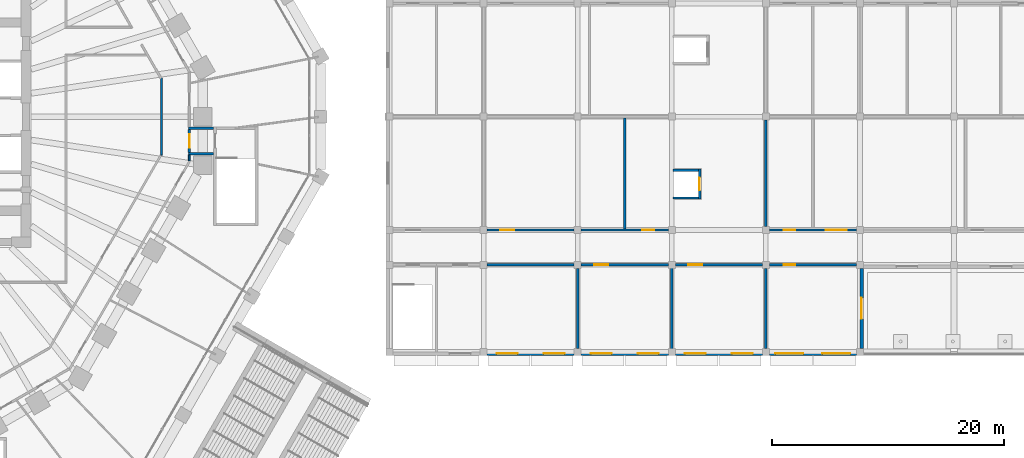
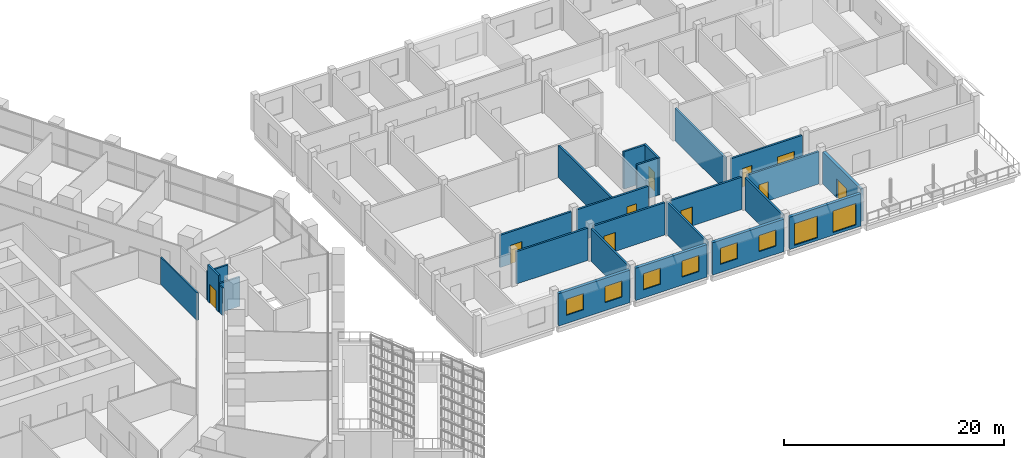
# One storey, part 25 of 38: 25 walls, 10 doors, 8 windows, 18 openings.
"""IFC4 building model written with IfcOpenShell, lengths in metres."""

from ifc_helpers import new_model, si_unit, direction, frame, frame_2d, origin, place, context, subcontext, project, spatial, rectangle, extrude, material, layer, layer_set, type_object, element, fill, save


model = new_model("IFC4")

# Units and contexts
model_context = context("Model", 3, precision=1e-05, world=origin(), true_north=direction((0.0, 1.0)))
body_context = subcontext(model_context, "Body", "Model", "MODEL_VIEW")
ifc_project = project(units=[si_unit("LENGTHUNIT", "METRE"), si_unit("AREAUNIT", "SQUARE_METRE"), si_unit("VOLUMEUNIT", "CUBIC_METRE"), si_unit("PLANEANGLEUNIT", "RADIAN"), si_unit("MASSUNIT", "GRAM", prefix="KILO")], contexts=[model_context])

# Site, building, storey
site_placement = place(None, origin())
site = spatial("IfcSite", under=ifc_project, at=site_placement, CompositionType="ELEMENT")
building_placement = place(site_placement, origin())
building = spatial("IfcBuilding", under=site, at=building_placement, Name="Frailejon Research Tower", CompositionType="ELEMENT")
storey_placement = place(building_placement, frame((0.0, 0.0, 10.199951171875)))
storey = spatial("IfcBuildingStorey", under=building, at=storey_placement, Name="L02", CompositionType="ELEMENT", Elevation=10.199951171875)

# Walls
ifc_material_1 = material(Name="Gypsum board and masonry partition", Category="masonry")
ifc_layer_1 = layer(ifc_material_1, 0.14990234375)
ifc_layer_set_1 = layer_set([ifc_layer_1], Name="Corridor wall EI 60, gypsum on steel studs 150")
wall_type_1 = type_object("IfcWallType", Name="Corridor wall EI 60, gypsum on steel studs 150", PredefinedType="PARTITIONING", material=ifc_layer_set_1)
wall_1_placement = place(storey_placement, frame((27.2626953125, -3.804443359375, 0.0), z_axis=(0.0, 0.0, 1.0), x_axis=(0.0, 1.0, 0.0)))
element("IfcWall", 1, at=wall_1_placement, inside=storey, type_object=wall_type_1, Name="T:IW:L02:005", PredefinedType="PARTITIONING", context=body_context, shape_type="SweptSolid", body=[
    extrude(rectangle(XDim=0.5107421875, YDim=0.14990234375, at=frame_2d((0.25537109375, 0.0))), origin(), (0.0, 0.0, 1.0), 3.050048828125),
])
wall_2_placement = place(storey_placement, frame((24.86279296875, -3.311279296875, 0.0), z_axis=(0.0, 0.0, 1.0), x_axis=(0.0, 1.0, 0.0)))
element("IfcWall", 2, at=wall_2_placement, inside=storey, type_object=wall_type_1, Name="T:IW:L02:038", PredefinedType="PARTITIONING", context=body_context, shape_type="SweptSolid", body=[
    extrude(rectangle(XDim=6.62255859375, YDim=0.14990234375, at=frame_2d((3.311279296875, 0.0))), origin(), (0.0, 0.0, 1.0), 3.050048828125),
])

# Wall, opening, door
ifc_material_2 = material(Name="Gypsum board and masonry partition", Category="masonry")
ifc_layer_2 = layer(ifc_material_2, 0.199951171875)
ifc_layer_set_2 = layer_set([ifc_layer_2], Name="Enclosure wall EI 120, blockwork 200")
wall_type_2 = type_object("IfcWallType", Name="Enclosure wall EI 120, blockwork 200", PredefinedType="PARTITIONING", material=ifc_layer_set_2)
wall_3_placement = place(storey_placement, frame((27.2626953125, -3.09375, 0.0), z_axis=(0.0, 0.0, 1.0), x_axis=(0.0, 1.0, 0.0)))
wall_3 = element("IfcWall", 3, at=wall_3_placement, inside=storey, type_object=wall_type_2, Name="T:IW:L02:061", PredefinedType="PARTITIONING", context=body_context, shape_type="SweptSolid", body=[
    extrude(rectangle(XDim=2.0, YDim=0.199951171875, at=frame_2d((1.0, 0.0))), origin(), (0.0, 0.0, 1.0), 4.050048828125),
])
opening_1_placement = place(wall_3_placement, frame((1.599853515625, 0.0, 0.0), z_axis=(0.0, 0.0, 1.0), x_axis=(-1.0, 0.0, 0.0)))
opening_1 = element("IfcOpeningElement", 4, at=opening_1_placement, cuts=wall_3, Name="Opening PSD34", PredefinedType="OPENING", context=body_context, shape_type="SweptSolid", body=[
    extrude(rectangle(XDim=1.199951171875, YDim=2.10009765625, at=frame_2d((0.60009765625, 1.050048828125))), frame((0.0, 0.10986328125, 0.0), z_axis=(0.0, -1.0, 0.0), x_axis=(1.0, 0.0, 0.0)), (0.0, 0.0, 1.0), 0.219970703125),
])
ifc_material_3 = material(Name="Steel door leaf", Category="steel")
door_type_1 = type_object("IfcDoorType", Name="Door exit passage, steel, fire rated 1200", OperationType="NOTDEFINED", PredefinedType="DOOR", material=ifc_material_3)
door_1_placement = place(opening_1_placement, origin())
door_1 = element("IfcDoor", 5, at=door_1_placement, inside=storey, type_object=door_type_1, Name="PSD34", OperationType="SINGLE_SWING_LEFT", OverallHeight=2.10009765625, OverallWidth=1.199951171875, PredefinedType="DOOR", context=body_context, shape_type="SweptSolid", body=[
    extrude(rectangle(XDim=1.199951171875, YDim=2.10009765625, at=frame_2d((0.60009765625, 1.050048828125))), frame((0.0, 0.02490234375, 0.0), z_axis=(0.0, -1.0, 0.0), x_axis=(1.0, 0.0, 0.0)), (0.0, 0.0, 1.0), 0.050048828125),
])
fill(opening_1, door_1)

# Walls
for number, where, z_axis, x_axis, name in (
    (6, (27.187744140625, -0.993896484375, 0.0), (0.0, 0.0, 1.0), (1.0, 0.0, 0.0), "T:IW:L02:062"),
    (7, (27.187744140625, -3.19384765625, 0.0), (0.0, 0.0, 1.0), (1.0, 0.0, 0.0), "T:IW:L02:067"),
):
    element("IfcWall", number, at=place(storey_placement, frame(where, z_axis=z_axis, x_axis=x_axis)), inside=storey, type_object=wall_type_2, Name=name, PredefinedType="PARTITIONING", context=body_context, shape_type="SweptSolid", body=[
        extrude(rectangle(XDim=2.150146484375, YDim=0.199951171875, at=frame_2d((1.0751953125, 0.0))), origin(), (0.0, 0.0, 1.0), 3.25),
    ])

# Wall, openings, windows
ifc_material_4 = material(Name="Insulated masonry cavity wall", Category="masonry")
ifc_layer_3 = layer(ifc_material_4, 0.300048828125)
ifc_layer_set_3 = layer_set([ifc_layer_3], Name="HC facade wall 300")
wall_type_3 = type_object("IfcWallType", Name="HC facade wall 300", PredefinedType="SOLIDWALL", material=ifc_layer_set_3)
wall_4_placement = place(storey_placement, frame((52.89990234375, -20.39990234375, 0.0), z_axis=(0.0, 0.0, 1.0), x_axis=(1.0, 0.0, 0.0)))
wall_4 = element("IfcWall", 8, at=wall_4_placement, inside=storey, type_object=wall_type_3, Name="HC facade wall", PredefinedType="SOLIDWALL", context=body_context, shape_type="SweptSolid", body=[
    extrude(rectangle(XDim=7.5, YDim=0.300048828125, at=frame_2d((3.75, 0.0))), origin(), (0.0, 0.0, 1.0), 3.60009765625),
])
opening_2_placement = place(wall_4_placement, frame((0.824951171875, 0.0, 0.89990234375)))
opening_2 = element("IfcOpeningElement", 9, at=opening_2_placement, cuts=wall_4, Name="Opening HW202", PredefinedType="OPENING", context=body_context, shape_type="SweptSolid", body=[
    extrude(rectangle(XDim=1.800048828125, YDim=1.800048828125, at=frame_2d((0.89990234375, 0.89990234375))), frame((0.0, 0.159912109375, 0.0), z_axis=(0.0, -1.0, 0.0), x_axis=(1.0, 0.0, 0.0)), (0.0, 0.0, 1.0), 0.320068359375),
])
opening_3_placement = place(wall_4_placement, frame((4.875, 0.0, 0.89990234375)))
opening_3 = element("IfcOpeningElement", 10, at=opening_3_placement, cuts=wall_4, Name="Opening HW203", PredefinedType="OPENING", context=body_context, shape_type="SweptSolid", body=[
    extrude(rectangle(XDim=1.800048828125, YDim=1.800048828125, at=frame_2d((0.89990234375, 0.89990234375))), frame((0.0, 0.159912109375, 0.0), z_axis=(0.0, -1.0, 0.0), x_axis=(1.0, 0.0, 0.0)), (0.0, 0.0, 1.0), 0.320068359375),
])
ifc_material_5 = material(Name="Aluminium framed double glazing", Category="aluminium")
window_type_1 = type_object("IfcWindowType", Name="HC window 1800x1800", PartitioningType="SINGLE_PANEL", PredefinedType="WINDOW", material=ifc_material_5)
window_1_placement = place(opening_2_placement, origin())
window_1 = element("IfcWindow", 11, at=window_1_placement, inside=storey, type_object=window_type_1, Name="Window HW202 (HCW1)", OverallHeight=1.800048828125, OverallWidth=1.800048828125, PartitioningType="SINGLE_PANEL", PredefinedType="WINDOW", context=body_context, shape_type="SweptSolid", body=[
    extrude(rectangle(XDim=1.800048828125, YDim=1.800048828125, at=frame_2d((0.89990234375, 0.89990234375))), frame((0.0, 0.030029296875, 0.0), z_axis=(0.0, -1.0, 0.0), x_axis=(1.0, 0.0, 0.0)), (0.0, 0.0, 1.0), 0.06005859375),
])
fill(opening_2, window_1)
window_2_placement = place(opening_3_placement, origin())
window_2 = element("IfcWindow", 12, at=window_2_placement, inside=storey, type_object=window_type_1, Name="Window HW203 (HCW1)", OverallHeight=1.800048828125, OverallWidth=1.800048828125, PartitioningType="SINGLE_PANEL", PredefinedType="WINDOW", context=body_context, shape_type="SweptSolid", body=[
    extrude(rectangle(XDim=1.800048828125, YDim=1.800048828125, at=frame_2d((0.89990234375, 0.89990234375))), frame((0.0, 0.030029296875, 0.0), z_axis=(0.0, -1.0, 0.0), x_axis=(1.0, 0.0, 0.0)), (0.0, 0.0, 1.0), 0.06005859375),
])
fill(opening_3, window_2)

wall_5_placement = place(storey_placement, frame((61.0, -20.39990234375, 0.0), z_axis=(0.0, 0.0, 1.0), x_axis=(1.0, 0.0, 0.0)))
wall_5 = element("IfcWall", 13, at=wall_5_placement, inside=storey, type_object=wall_type_3, Name="HC facade wall", PredefinedType="SOLIDWALL", context=body_context, shape_type="SweptSolid", body=[
    extrude(rectangle(XDim=7.5, YDim=0.300048828125, at=frame_2d((3.75, 0.0))), origin(), (0.0, 0.0, 1.0), 3.60009765625),
])
opening_4_placement = place(wall_5_placement, frame((0.824951171875, 0.0, 0.89990234375)))
opening_4 = element("IfcOpeningElement", 14, at=opening_4_placement, cuts=wall_5, Name="Opening HW204", PredefinedType="OPENING", context=body_context, shape_type="SweptSolid", body=[
    extrude(rectangle(XDim=1.800048828125, YDim=1.800048828125, at=frame_2d((0.89990234375, 0.89990234375))), frame((0.0, 0.159912109375, 0.0), z_axis=(0.0, -1.0, 0.0), x_axis=(1.0, 0.0, 0.0)), (0.0, 0.0, 1.0), 0.320068359375),
])
opening_5_placement = place(wall_5_placement, frame((4.875, 0.0, 0.89990234375)))
opening_5 = element("IfcOpeningElement", 15, at=opening_5_placement, cuts=wall_5, Name="Opening HW205", PredefinedType="OPENING", context=body_context, shape_type="SweptSolid", body=[
    extrude(rectangle(XDim=1.800048828125, YDim=1.800048828125, at=frame_2d((0.89990234375, 0.89990234375))), frame((0.0, 0.159912109375, 0.0), z_axis=(0.0, -1.0, 0.0), x_axis=(1.0, 0.0, 0.0)), (0.0, 0.0, 1.0), 0.320068359375),
])
window_3_placement = place(opening_4_placement, origin())
window_3 = element("IfcWindow", 16, at=window_3_placement, inside=storey, type_object=window_type_1, Name="Window HW204 (HCW1)", OverallHeight=1.800048828125, OverallWidth=1.800048828125, PartitioningType="SINGLE_PANEL", PredefinedType="WINDOW", context=body_context, shape_type="SweptSolid", body=[
    extrude(rectangle(XDim=1.800048828125, YDim=1.800048828125, at=frame_2d((0.89990234375, 0.89990234375))), frame((0.0, 0.030029296875, 0.0), z_axis=(0.0, -1.0, 0.0), x_axis=(1.0, 0.0, 0.0)), (0.0, 0.0, 1.0), 0.06005859375),
])
fill(opening_4, window_3)
window_4_placement = place(opening_5_placement, origin())
window_4 = element("IfcWindow", 17, at=window_4_placement, inside=storey, type_object=window_type_1, Name="Window HW205 (HCW1)", OverallHeight=1.800048828125, OverallWidth=1.800048828125, PartitioningType="SINGLE_PANEL", PredefinedType="WINDOW", context=body_context, shape_type="SweptSolid", body=[
    extrude(rectangle(XDim=1.800048828125, YDim=1.800048828125, at=frame_2d((0.89990234375, 0.89990234375))), frame((0.0, 0.030029296875, 0.0), z_axis=(0.0, -1.0, 0.0), x_axis=(1.0, 0.0, 0.0)), (0.0, 0.0, 1.0), 0.06005859375),
])
fill(opening_5, window_4)

wall_6_placement = place(storey_placement, frame((69.10009765625, -20.39990234375, 0.0), z_axis=(0.0, 0.0, 1.0), x_axis=(1.0, 0.0, 0.0)))
wall_6 = element("IfcWall", 18, at=wall_6_placement, inside=storey, type_object=wall_type_3, Name="HC facade wall", PredefinedType="SOLIDWALL", context=body_context, shape_type="SweptSolid", body=[
    extrude(rectangle(XDim=7.5, YDim=0.300048828125, at=frame_2d((3.75, 0.0))), origin(), (0.0, 0.0, 1.0), 3.60009765625),
])
opening_6_placement = place(wall_6_placement, frame((0.824951171875, 0.0, 0.89990234375)))
opening_6 = element("IfcOpeningElement", 19, at=opening_6_placement, cuts=wall_6, Name="Opening HW206", PredefinedType="OPENING", context=body_context, shape_type="SweptSolid", body=[
    extrude(rectangle(XDim=1.800048828125, YDim=1.800048828125, at=frame_2d((0.89990234375, 0.89990234375))), frame((0.0, 0.159912109375, 0.0), z_axis=(0.0, -1.0, 0.0), x_axis=(1.0, 0.0, 0.0)), (0.0, 0.0, 1.0), 0.320068359375),
])
opening_7_placement = place(wall_6_placement, frame((4.875, 0.0, 0.89990234375)))
opening_7 = element("IfcOpeningElement", 20, at=opening_7_placement, cuts=wall_6, Name="Opening HW207", PredefinedType="OPENING", context=body_context, shape_type="SweptSolid", body=[
    extrude(rectangle(XDim=1.800048828125, YDim=1.800048828125, at=frame_2d((0.89990234375, 0.89990234375))), frame((0.0, 0.159912109375, 0.0), z_axis=(0.0, -1.0, 0.0), x_axis=(1.0, 0.0, 0.0)), (0.0, 0.0, 1.0), 0.320068359375),
])
window_5_placement = place(opening_6_placement, origin())
window_5 = element("IfcWindow", 21, at=window_5_placement, inside=storey, type_object=window_type_1, Name="Window HW206 (HCW1)", OverallHeight=1.800048828125, OverallWidth=1.800048828125, PartitioningType="SINGLE_PANEL", PredefinedType="WINDOW", context=body_context, shape_type="SweptSolid", body=[
    extrude(rectangle(XDim=1.800048828125, YDim=1.800048828125, at=frame_2d((0.89990234375, 0.89990234375))), frame((0.0, 0.030029296875, 0.0), z_axis=(0.0, -1.0, 0.0), x_axis=(1.0, 0.0, 0.0)), (0.0, 0.0, 1.0), 0.06005859375),
])
fill(opening_6, window_5)
window_6_placement = place(opening_7_placement, origin())
window_6 = element("IfcWindow", 22, at=window_6_placement, inside=storey, type_object=window_type_1, Name="Window HW207 (HCW1)", OverallHeight=1.800048828125, OverallWidth=1.800048828125, PartitioningType="SINGLE_PANEL", PredefinedType="WINDOW", context=body_context, shape_type="SweptSolid", body=[
    extrude(rectangle(XDim=1.800048828125, YDim=1.800048828125, at=frame_2d((0.89990234375, 0.89990234375))), frame((0.0, 0.030029296875, 0.0), z_axis=(0.0, -1.0, 0.0), x_axis=(1.0, 0.0, 0.0)), (0.0, 0.0, 1.0), 0.06005859375),
])
fill(opening_7, window_6)

wall_7_placement = place(storey_placement, frame((77.199951171875, -20.39990234375, 0.0), z_axis=(0.0, 0.0, 1.0), x_axis=(1.0, 0.0, 0.0)))
wall_7 = element("IfcWall", 23, at=wall_7_placement, inside=storey, type_object=wall_type_3, Name="HC facade wall", PredefinedType="SOLIDWALL", context=body_context, shape_type="SweptSolid", body=[
    extrude(rectangle(XDim=7.5, YDim=0.300048828125, at=frame_2d((3.75, 0.0))), origin(), (0.0, 0.0, 1.0), 3.60009765625),
])
opening_8_placement = place(wall_7_placement, frame((0.52490234375, 0.0, 0.300048828125)))
opening_8 = element("IfcOpeningElement", 24, at=opening_8_placement, cuts=wall_7, Name="Opening HW208", PredefinedType="OPENING", context=body_context, shape_type="SweptSolid", body=[
    extrude(rectangle(XDim=2.39990234375, YDim=2.39990234375, at=frame_2d((1.199951171875, 1.199951171875))), frame((0.0, 0.159912109375, 0.0), z_axis=(0.0, -1.0, 0.0), x_axis=(1.0, 0.0, 0.0)), (0.0, 0.0, 1.0), 0.320068359375),
])
opening_9_placement = place(wall_7_placement, frame((4.574951171875, 0.0, 0.300048828125)))
opening_9 = element("IfcOpeningElement", 25, at=opening_9_placement, cuts=wall_7, Name="Opening HW209", PredefinedType="OPENING", context=body_context, shape_type="SweptSolid", body=[
    extrude(rectangle(XDim=2.39990234375, YDim=2.39990234375, at=frame_2d((1.199951171875, 1.199951171875))), frame((0.0, 0.159912109375, 0.0), z_axis=(0.0, -1.0, 0.0), x_axis=(1.0, 0.0, 0.0)), (0.0, 0.0, 1.0), 0.320068359375),
])
ifc_material_6 = material(Name="Aluminium framed double glazing", Category="aluminium")
window_type_2 = type_object("IfcWindowType", Name="HC window 2400x2400", PartitioningType="DOUBLE_PANEL_VERTICAL", PredefinedType="WINDOW", material=ifc_material_6)
window_7_placement = place(opening_8_placement, origin())
window_7 = element("IfcWindow", 26, at=window_7_placement, inside=storey, type_object=window_type_2, Name="Window HW208 (HCW3)", OverallHeight=2.39990234375, OverallWidth=2.39990234375, PartitioningType="DOUBLE_PANEL_VERTICAL", PredefinedType="WINDOW", context=body_context, shape_type="SweptSolid", body=[
    extrude(rectangle(XDim=2.39990234375, YDim=2.39990234375, at=frame_2d((1.199951171875, 1.199951171875))), frame((0.0, 0.030029296875, 0.0), z_axis=(0.0, -1.0, 0.0), x_axis=(1.0, 0.0, 0.0)), (0.0, 0.0, 1.0), 0.06005859375),
])
fill(opening_8, window_7)
window_8_placement = place(opening_9_placement, origin())
window_8 = element("IfcWindow", 27, at=window_8_placement, inside=storey, type_object=window_type_2, Name="Window HW209 (HCW3)", OverallHeight=2.39990234375, OverallWidth=2.39990234375, PartitioningType="DOUBLE_PANEL_VERTICAL", PredefinedType="WINDOW", context=body_context, shape_type="SweptSolid", body=[
    extrude(rectangle(XDim=2.39990234375, YDim=2.39990234375, at=frame_2d((1.199951171875, 1.199951171875))), frame((0.0, 0.030029296875, 0.0), z_axis=(0.0, -1.0, 0.0), x_axis=(1.0, 0.0, 0.0)), (0.0, 0.0, 1.0), 0.06005859375),
])
fill(opening_9, window_8)

# Wall, opening, door
wall_8_placement = place(storey_placement, frame((85.14990234375, -13.050048828125, 0.0), z_axis=(0.0, 0.0, 1.0), x_axis=(0.0, -1.0, 0.0)))
wall_8 = element("IfcWall", 28, at=wall_8_placement, inside=storey, type_object=wall_type_3, Name="HC facade wall", PredefinedType="SOLIDWALL", context=body_context, shape_type="SweptSolid", body=[
    extrude(rectangle(XDim=6.89990234375, YDim=0.300048828125, at=frame_2d((3.449951171875, 0.0))), origin(), (0.0, 0.0, 1.0), 3.60009765625),
])
opening_10_placement = place(wall_8_placement, frame((2.550048828125, 0.0, 0.0)))
opening_10 = element("IfcOpeningElement", 29, at=opening_10_placement, cuts=wall_8, Name="Opening HD208", PredefinedType="OPENING", context=body_context, shape_type="SweptSolid", body=[
    extrude(rectangle(XDim=1.800048828125, YDim=2.10009765625, at=frame_2d((0.89990234375, 1.050048828125))), frame((0.0, 0.159912109375, 0.0), z_axis=(0.0, -1.0, 0.0), x_axis=(1.0, 0.0, 0.0)), (0.0, 0.0, 1.0), 0.320068359375),
])
ifc_material_7 = material(Name="Aluminium framed glazed door leaf", Category="aluminium")
door_type_2 = type_object("IfcDoorType", Name="HC terrace double door 1800", OperationType="DOUBLE_DOOR_SINGLE_SWING", PredefinedType="DOOR", material=ifc_material_7)
door_2_placement = place(opening_10_placement, origin())
door_2 = element("IfcDoor", 30, at=door_2_placement, inside=storey, type_object=door_type_2, Name="Door HD208", OperationType="DOUBLE_DOOR_SINGLE_SWING", OverallHeight=2.10009765625, OverallWidth=1.800048828125, PredefinedType="DOOR", context=body_context, shape_type="SweptSolid", body=[
    extrude(rectangle(XDim=1.800048828125, YDim=2.10009765625, at=frame_2d((0.89990234375, 1.050048828125))), frame((0.0, 0.02490234375, 0.0), z_axis=(0.0, -1.0, 0.0), x_axis=(1.0, 0.0, 0.0)), (0.0, 0.0, 1.0), 0.050048828125),
])
fill(opening_10, door_2)

# Walls
ifc_material_8 = material(Name="Concrete C35/45", Category="concrete")
ifc_layer_4 = layer(ifc_material_8, 0.199951171875)
ifc_layer_set_4 = layer_set([ifc_layer_4], Name="HC fire wall 200")
wall_type_4 = type_object("IfcWallType", Name="HC fire wall 200", PredefinedType="SOLIDWALL", material=ifc_layer_set_4)
for number, where, z_axis, x_axis, name in (
    (31, (68.89990234375, -7.0, 0.0), (0.0, 0.0, 1.0), (1.0, 0.0, 0.0), "HC lift shaft wall"),
    (32, (68.89990234375, -4.60009765625, 0.0), (0.0, 0.0, 1.0), (1.0, 0.0, 0.0), "HC lift shaft wall"),
):
    element("IfcWall", number, at=place(storey_placement, frame(where, z_axis=z_axis, x_axis=x_axis)), inside=storey, type_object=wall_type_4, Name=name, PredefinedType="SOLIDWALL", context=body_context, shape_type="SweptSolid", body=[
        extrude(rectangle(XDim=2.2001953125, YDim=0.199951171875, at=frame_2d((1.10009765625, 0.0))), origin(), (0.0, 0.0, 1.0), 4.150146484375),
    ])

# Wall, opening, door
wall_9_placement = place(storey_placement, frame((71.199951171875, -7.10009765625, 0.0), z_axis=(0.0, 0.0, 1.0), x_axis=(0.0, 1.0, 0.0)))
wall_9 = element("IfcWall", 33, at=wall_9_placement, inside=storey, type_object=wall_type_4, Name="HC lift shaft wall", PredefinedType="SOLIDWALL", context=body_context, shape_type="SweptSolid", body=[
    extrude(rectangle(XDim=2.60009765625, YDim=0.199951171875, at=frame_2d((1.300048828125, 0.0))), origin(), (0.0, 0.0, 1.0), 4.150146484375),
])
opening_11_placement = place(wall_9_placement, frame((0.75, 0.0, 0.0)))
opening_11 = element("IfcOpeningElement", 34, at=opening_11_placement, cuts=wall_9, Name="Opening HLD2P", PredefinedType="OPENING", context=body_context, shape_type="SweptSolid", body=[
    extrude(rectangle(XDim=1.10009765625, YDim=2.10009765625, at=frame_2d((0.550048828125, 1.050048828125))), frame((0.0, 0.10986328125, 0.0), z_axis=(0.0, -1.0, 0.0), x_axis=(1.0, 0.0, 0.0)), (0.0, 0.0, 1.0), 0.219970703125),
])
ifc_material_9 = material(Name="Stainless steel sliding leaf", Category="steel")
door_type_3 = type_object("IfcDoorType", Name="HC lift landing door 1100", OperationType="SLIDING_TO_LEFT", PredefinedType="DOOR", material=ifc_material_9)
door_3_placement = place(opening_11_placement, origin())
door_3 = element("IfcDoor", 35, at=door_3_placement, inside=storey, type_object=door_type_3, Name="Lift landing door HLD2P", OperationType="SLIDING_TO_LEFT", OverallHeight=2.10009765625, OverallWidth=1.10009765625, PredefinedType="DOOR", context=body_context, shape_type="SweptSolid", body=[
    extrude(rectangle(XDim=1.10009765625, YDim=2.10009765625, at=frame_2d((0.550048828125, 1.050048828125))), frame((0.0, 0.02490234375, 0.0), z_axis=(0.0, -1.0, 0.0), x_axis=(1.0, 0.0, 0.0)), (0.0, 0.0, 1.0), 0.050048828125),
])
fill(opening_11, door_3)

# Wall
ifc_material_10 = material(Name="Masonry blockwork partition", Category="masonry")
ifc_layer_5 = layer(ifc_material_10, 0.199951171875)
ifc_layer_set_5 = layer_set([ifc_layer_5], Name="HC partition 200")
wall_type_5 = type_object("IfcWallType", Name="HC partition 200", PredefinedType="PARTITIONING", material=ifc_layer_set_5)
wall_10_placement = place(storey_placement, frame((52.89990234375, -12.75, 0.0), z_axis=(0.0, 0.0, 1.0), x_axis=(1.0, 0.0, 0.0)))
element("IfcWall", 36, at=wall_10_placement, inside=storey, type_object=wall_type_5, Name="HC partition", PredefinedType="PARTITIONING", context=body_context, shape_type="SweptSolid", body=[
    extrude(rectangle(XDim=7.5, YDim=0.199951171875, at=frame_2d((3.75, 0.0))), origin(), (0.0, 0.0, 1.0), 3.60009765625),
])

# Wall, opening, door
wall_11_placement = place(storey_placement, frame((61.0, -12.75, 0.0), z_axis=(0.0, 0.0, 1.0), x_axis=(1.0, 0.0, 0.0)))
wall_11 = element("IfcWall", 37, at=wall_11_placement, inside=storey, type_object=wall_type_5, Name="HC partition", PredefinedType="PARTITIONING", context=body_context, shape_type="SweptSolid", body=[
    extrude(rectangle(XDim=7.5, YDim=0.199951171875, at=frame_2d((3.75, 0.0))), origin(), (0.0, 0.0, 1.0), 3.60009765625),
])
opening_12_placement = place(wall_11_placement, frame((1.125, 0.0, 0.0)))
opening_12 = element("IfcOpeningElement", 38, at=opening_12_placement, cuts=wall_11, Name="Opening HD205", PredefinedType="OPENING", context=body_context, shape_type="SweptSolid", body=[
    extrude(rectangle(XDim=1.199951171875, YDim=2.10009765625, at=frame_2d((0.60009765625, 1.050048828125))), frame((0.0, 0.10986328125, 0.0), z_axis=(0.0, -1.0, 0.0), x_axis=(1.0, 0.0, 0.0)), (0.0, 0.0, 1.0), 0.219970703125),
])
ifc_material_11 = material(Name="Timber veneered fire door leaf", Category="wood")
door_type_4 = type_object("IfcDoorType", Name="HC door 1200 right", OperationType="SINGLE_SWING_RIGHT", PredefinedType="DOOR", material=ifc_material_11)
door_4_placement = place(opening_12_placement, origin())
door_4 = element("IfcDoor", 39, at=door_4_placement, inside=storey, type_object=door_type_4, Name="Door HD205", OperationType="SINGLE_SWING_RIGHT", OverallHeight=2.10009765625, OverallWidth=1.199951171875, PredefinedType="DOOR", context=body_context, shape_type="SweptSolid", body=[
    extrude(rectangle(XDim=1.199951171875, YDim=2.10009765625, at=frame_2d((0.60009765625, 1.050048828125))), frame((0.0, 0.02490234375, 0.0), z_axis=(0.0, -1.0, 0.0), x_axis=(1.0, 0.0, 0.0)), (0.0, 0.0, 1.0), 0.050048828125),
])
fill(opening_12, door_4)

wall_12_placement = place(storey_placement, frame((69.10009765625, -12.75, 0.0), z_axis=(0.0, 0.0, 1.0), x_axis=(1.0, 0.0, 0.0)))
wall_12 = element("IfcWall", 40, at=wall_12_placement, inside=storey, type_object=wall_type_5, Name="HC partition", PredefinedType="PARTITIONING", context=body_context, shape_type="SweptSolid", body=[
    extrude(rectangle(XDim=7.5, YDim=0.199951171875, at=frame_2d((3.75, 0.0))), origin(), (0.0, 0.0, 1.0), 3.60009765625),
])
opening_13_placement = place(wall_12_placement, frame((1.125, 0.0, 0.0)))
opening_13 = element("IfcOpeningElement", 41, at=opening_13_placement, cuts=wall_12, Name="Opening HD206", PredefinedType="OPENING", context=body_context, shape_type="SweptSolid", body=[
    extrude(rectangle(XDim=1.199951171875, YDim=2.10009765625, at=frame_2d((0.60009765625, 1.050048828125))), frame((0.0, 0.10986328125, 0.0), z_axis=(0.0, -1.0, 0.0), x_axis=(1.0, 0.0, 0.0)), (0.0, 0.0, 1.0), 0.219970703125),
])
ifc_material_12 = material(Name="Timber veneered fire door leaf", Category="wood")
door_type_5 = type_object("IfcDoorType", Name="HC door 1200 left", OperationType="SINGLE_SWING_LEFT", PredefinedType="DOOR", material=ifc_material_12)
door_5_placement = place(opening_13_placement, origin())
door_5 = element("IfcDoor", 42, at=door_5_placement, inside=storey, type_object=door_type_5, Name="Door HD206", OperationType="SINGLE_SWING_LEFT", OverallHeight=2.10009765625, OverallWidth=1.199951171875, PredefinedType="DOOR", context=body_context, shape_type="SweptSolid", body=[
    extrude(rectangle(XDim=1.199951171875, YDim=2.10009765625, at=frame_2d((0.60009765625, 1.050048828125))), frame((0.0, 0.02490234375, 0.0), z_axis=(0.0, -1.0, 0.0), x_axis=(1.0, 0.0, 0.0)), (0.0, 0.0, 1.0), 0.050048828125),
])
fill(opening_13, door_5)

wall_13_placement = place(storey_placement, frame((77.199951171875, -12.75, 0.0), z_axis=(0.0, 0.0, 1.0), x_axis=(1.0, 0.0, 0.0)))
wall_13 = element("IfcWall", 43, at=wall_13_placement, inside=storey, type_object=wall_type_5, Name="HC partition", PredefinedType="PARTITIONING", context=body_context, shape_type="SweptSolid", body=[
    extrude(rectangle(XDim=7.5, YDim=0.199951171875, at=frame_2d((3.75, 0.0))), origin(), (0.0, 0.0, 1.0), 3.60009765625),
])
opening_14_placement = place(wall_13_placement, frame((1.22509765625, 0.0, 0.0)))
opening_14 = element("IfcOpeningElement", 44, at=opening_14_placement, cuts=wall_13, Name="Opening HD207", PredefinedType="OPENING", context=body_context, shape_type="SweptSolid", body=[
    extrude(rectangle(XDim=1.0, YDim=2.10009765625, at=frame_2d((0.5, 1.050048828125))), frame((0.0, 0.10986328125, 0.0), z_axis=(0.0, -1.0, 0.0), x_axis=(1.0, 0.0, 0.0)), (0.0, 0.0, 1.0), 0.219970703125),
])
ifc_material_13 = material(Name="Timber veneered fire door leaf", Category="wood")
door_type_6 = type_object("IfcDoorType", Name="HC door 1000 right", OperationType="SINGLE_SWING_RIGHT", PredefinedType="DOOR", material=ifc_material_13)
door_6_placement = place(opening_14_placement, origin())
door_6 = element("IfcDoor", 45, at=door_6_placement, inside=storey, type_object=door_type_6, Name="Door HD207", OperationType="SINGLE_SWING_RIGHT", OverallHeight=2.10009765625, OverallWidth=1.0, PredefinedType="DOOR", context=body_context, shape_type="SweptSolid", body=[
    extrude(rectangle(XDim=1.0, YDim=2.10009765625, at=frame_2d((0.5, 1.050048828125))), frame((0.0, 0.02490234375, 0.0), z_axis=(0.0, -1.0, 0.0), x_axis=(1.0, 0.0, 0.0)), (0.0, 0.0, 1.0), 0.050048828125),
])
fill(opening_14, door_6)

# Walls
wall_14_placement = place(storey_placement, frame((60.699951171875, -19.949951171875, 0.0), z_axis=(0.0, 0.0, 1.0), x_axis=(0.0, 1.0, 0.0)))
element("IfcWall", 46, at=wall_14_placement, inside=storey, type_object=wall_type_5, Name="HC partition", PredefinedType="PARTITIONING", context=body_context, shape_type="SweptSolid", body=[
    extrude(rectangle(XDim=6.89990234375, YDim=0.199951171875, at=frame_2d((3.449951171875, 0.0))), origin(), (0.0, 0.0, 1.0), 3.60009765625),
])
wall_15_placement = place(storey_placement, frame((68.800048828125, -20.25, 0.0), z_axis=(0.0, 0.0, 1.0), x_axis=(0.0, 1.0, 0.0)))
element("IfcWall", 47, at=wall_15_placement, inside=storey, type_object=wall_type_5, Name="HC partition", PredefinedType="PARTITIONING", context=body_context, shape_type="SweptSolid", body=[
    extrude(rectangle(XDim=7.5, YDim=0.199951171875, at=frame_2d((3.75, 0.0))), origin(), (0.0, 0.0, 1.0), 3.60009765625),
])
wall_16_placement = place(storey_placement, frame((76.89990234375, -19.949951171875, 0.0), z_axis=(0.0, 0.0, 1.0), x_axis=(0.0, 1.0, 0.0)))
element("IfcWall", 48, at=wall_16_placement, inside=storey, type_object=wall_type_5, Name="HC partition", PredefinedType="PARTITIONING", context=body_context, shape_type="SweptSolid", body=[
    extrude(rectangle(XDim=6.89990234375, YDim=0.199951171875, at=frame_2d((3.449951171875, 0.0))), origin(), (0.0, 0.0, 1.0), 3.60009765625),
])
wall_17_placement = place(storey_placement, frame((76.89990234375, -9.449951171875, 0.0), z_axis=(0.0, 0.0, 1.0), x_axis=(0.0, 1.0, 0.0)))
element("IfcWall", 49, at=wall_17_placement, inside=storey, type_object=wall_type_5, Name="HC partition", PredefinedType="PARTITIONING", context=body_context, shape_type="SweptSolid", body=[
    extrude(rectangle(XDim=9.14990234375, YDim=0.199951171875, at=frame_2d((4.574951171875, 0.0))), origin(), (0.0, 0.0, 1.0), 3.60009765625),
])

# Wall, opening, door
wall_18_placement = place(storey_placement, frame((52.89990234375, -9.75, 0.0), z_axis=(0.0, 0.0, 1.0), x_axis=(1.0, 0.0, 0.0)))
wall_18 = element("IfcWall", 50, at=wall_18_placement, inside=storey, type_object=wall_type_5, Name="HC partition", PredefinedType="PARTITIONING", context=body_context, shape_type="SweptSolid", body=[
    extrude(rectangle(XDim=7.5, YDim=0.199951171875, at=frame_2d((3.75, 0.0))), origin(), (0.0, 0.0, 1.0), 3.60009765625),
])
opening_15_placement = place(wall_18_placement, frame((1.125, 0.0, 0.0)))
opening_15 = element("IfcOpeningElement", 51, at=opening_15_placement, cuts=wall_18, Name="Opening HD210", PredefinedType="OPENING", context=body_context, shape_type="SweptSolid", body=[
    extrude(rectangle(XDim=1.199951171875, YDim=2.10009765625, at=frame_2d((0.60009765625, 1.050048828125))), frame((0.0, 0.10986328125, 0.0), z_axis=(0.0, -1.0, 0.0), x_axis=(1.0, 0.0, 0.0)), (0.0, 0.0, 1.0), 0.219970703125),
])
door_7_placement = place(opening_15_placement, origin())
door_7 = element("IfcDoor", 52, at=door_7_placement, inside=storey, type_object=door_type_4, Name="Door HD210", OperationType="SINGLE_SWING_RIGHT", OverallHeight=2.10009765625, OverallWidth=1.199951171875, PredefinedType="DOOR", context=body_context, shape_type="SweptSolid", body=[
    extrude(rectangle(XDim=1.199951171875, YDim=2.10009765625, at=frame_2d((0.60009765625, 1.050048828125))), frame((0.0, 0.02490234375, 0.0), z_axis=(0.0, -1.0, 0.0), x_axis=(1.0, 0.0, 0.0)), (0.0, 0.0, 1.0), 0.050048828125),
])
fill(opening_15, door_7)

wall_19_placement = place(storey_placement, frame((61.0, -9.75, 0.0), z_axis=(0.0, 0.0, 1.0), x_axis=(1.0, 0.0, 0.0)))
wall_19 = element("IfcWall", 53, at=wall_19_placement, inside=storey, type_object=wall_type_5, Name="HC partition", PredefinedType="PARTITIONING", context=body_context, shape_type="SweptSolid", body=[
    extrude(rectangle(XDim=7.5, YDim=0.199951171875, at=frame_2d((3.75, 0.0))), origin(), (0.0, 0.0, 1.0), 3.60009765625),
])
opening_16_placement = place(wall_19_placement, frame((5.27490234375, 0.0, 0.0)))
opening_16 = element("IfcOpeningElement", 54, at=opening_16_placement, cuts=wall_19, Name="Opening HD211", PredefinedType="OPENING", context=body_context, shape_type="SweptSolid", body=[
    extrude(rectangle(XDim=1.0, YDim=2.10009765625, at=frame_2d((0.5, 1.050048828125))), frame((0.0, 0.10986328125, 0.0), z_axis=(0.0, -1.0, 0.0), x_axis=(1.0, 0.0, 0.0)), (0.0, 0.0, 1.0), 0.219970703125),
])
ifc_material_14 = material(Name="Timber veneered fire door leaf", Category="wood")
door_type_7 = type_object("IfcDoorType", Name="HC door 1000 left", OperationType="SINGLE_SWING_LEFT", PredefinedType="DOOR", material=ifc_material_14)
door_8_placement = place(opening_16_placement, origin())
door_8 = element("IfcDoor", 55, at=door_8_placement, inside=storey, type_object=door_type_7, Name="Door HD211", OperationType="SINGLE_SWING_LEFT", OverallHeight=2.10009765625, OverallWidth=1.0, PredefinedType="DOOR", context=body_context, shape_type="SweptSolid", body=[
    extrude(rectangle(XDim=1.0, YDim=2.10009765625, at=frame_2d((0.5, 1.050048828125))), frame((0.0, 0.02490234375, 0.0), z_axis=(0.0, -1.0, 0.0), x_axis=(1.0, 0.0, 0.0)), (0.0, 0.0, 1.0), 0.050048828125),
])
fill(opening_16, door_8)

# Wall, openings, doors
wall_20_placement = place(storey_placement, frame((77.199951171875, -9.75, 0.0), z_axis=(0.0, 0.0, 1.0), x_axis=(1.0, 0.0, 0.0)))
wall_20 = element("IfcWall", 56, at=wall_20_placement, inside=storey, type_object=wall_type_5, Name="HC partition", PredefinedType="PARTITIONING", context=body_context, shape_type="SweptSolid", body=[
    extrude(rectangle(XDim=7.5, YDim=0.199951171875, at=frame_2d((3.75, 0.0))), origin(), (0.0, 0.0, 1.0), 3.60009765625),
])
opening_17_placement = place(wall_20_placement, frame((1.22509765625, 0.0, 0.0)))
opening_17 = element("IfcOpeningElement", 57, at=opening_17_placement, cuts=wall_20, Name="Opening HD212", PredefinedType="OPENING", context=body_context, shape_type="SweptSolid", body=[
    extrude(rectangle(XDim=1.0, YDim=2.10009765625, at=frame_2d((0.5, 1.050048828125))), frame((0.0, 0.10986328125, 0.0), z_axis=(0.0, -1.0, 0.0), x_axis=(1.0, 0.0, 0.0)), (0.0, 0.0, 1.0), 0.219970703125),
])
opening_18_placement = place(wall_20_placement, frame((4.875, 0.0, 0.0)))
opening_18 = element("IfcOpeningElement", 58, at=opening_18_placement, cuts=wall_20, Name="Opening HD213", PredefinedType="OPENING", context=body_context, shape_type="SweptSolid", body=[
    extrude(rectangle(XDim=1.800048828125, YDim=2.10009765625, at=frame_2d((0.89990234375, 1.050048828125))), frame((0.0, 0.10986328125, 0.0), z_axis=(0.0, -1.0, 0.0), x_axis=(1.0, 0.0, 0.0)), (0.0, 0.0, 1.0), 0.219970703125),
])
door_9_placement = place(opening_17_placement, origin())
door_9 = element("IfcDoor", 59, at=door_9_placement, inside=storey, type_object=door_type_6, Name="Door HD212", OperationType="SINGLE_SWING_RIGHT", OverallHeight=2.10009765625, OverallWidth=1.0, PredefinedType="DOOR", context=body_context, shape_type="SweptSolid", body=[
    extrude(rectangle(XDim=1.0, YDim=2.10009765625, at=frame_2d((0.5, 1.050048828125))), frame((0.0, 0.02490234375, 0.0), z_axis=(0.0, -1.0, 0.0), x_axis=(1.0, 0.0, 0.0)), (0.0, 0.0, 1.0), 0.050048828125),
])
fill(opening_17, door_9)
ifc_material_15 = material(Name="Timber veneered fire door leaf", Category="wood")
door_type_8 = type_object("IfcDoorType", Name="HC double door 1800", OperationType="DOUBLE_DOOR_SINGLE_SWING", PredefinedType="DOOR", material=ifc_material_15)
door_10_placement = place(opening_18_placement, origin())
door_10 = element("IfcDoor", 60, at=door_10_placement, inside=storey, type_object=door_type_8, Name="Door HD213", OperationType="DOUBLE_DOOR_SINGLE_SWING", OverallHeight=2.10009765625, OverallWidth=1.800048828125, PredefinedType="DOOR", context=body_context, shape_type="SweptSolid", body=[
    extrude(rectangle(XDim=1.800048828125, YDim=2.10009765625, at=frame_2d((0.89990234375, 1.050048828125))), frame((0.0, 0.02490234375, 0.0), z_axis=(0.0, -1.0, 0.0), x_axis=(1.0, 0.0, 0.0)), (0.0, 0.0, 1.0), 0.050048828125),
])
fill(opening_18, door_10)

# Wall
wall_21_placement = place(storey_placement, frame((64.75, -9.64990234375, 0.0), z_axis=(0.0, 0.0, 1.0), x_axis=(0.0, 1.0, 0.0)))
element("IfcWall", 61, at=wall_21_placement, inside=storey, type_object=wall_type_5, Name="HC partition", PredefinedType="PARTITIONING", context=body_context, shape_type="SweptSolid", body=[
    extrude(rectangle(XDim=9.5498046875, YDim=0.199951171875, at=frame_2d((4.77490234375, 0.0))), origin(), (0.0, 0.0, 1.0), 3.60009765625),
])

save(model, "model.ifc")
